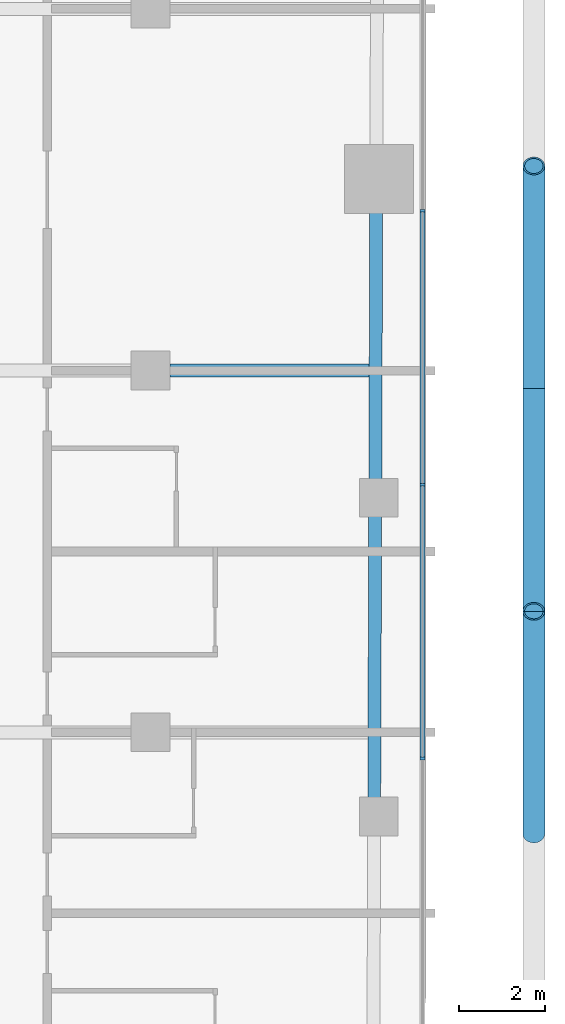
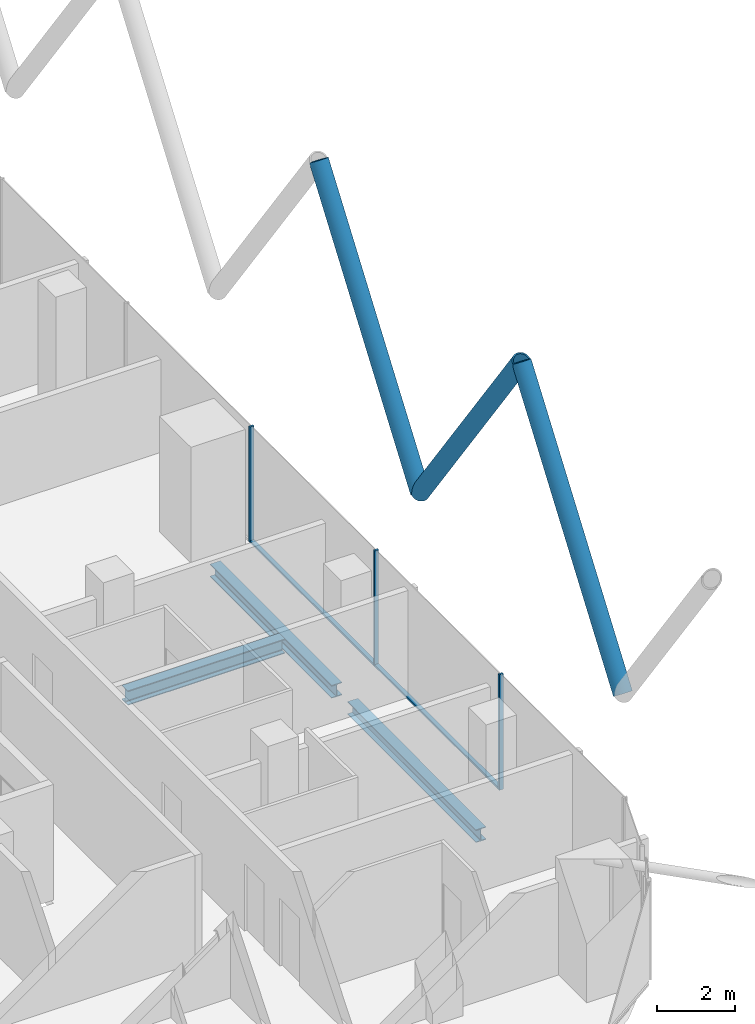
# One storey, part 8 of 33: 8 members, 3 beams, 1 element without a shape of its own.
"""IFC4 building model written with IfcOpenShell, lengths in metres."""

from ifc_helpers import new_model, si_unit, direction, frame, origin, origin_2d, place, context, subcontext, project, spatial, rectangle, hollow_circle, i_section, extrude, material, layer, layer_set, material_profile, profile_set, type_object, element, aggregate, save


model = new_model("IFC4")

# Units and contexts
model_context = context("Model", 3, precision=1e-05, world=origin(), true_north=direction((0.0, 1.0)))
body_context = subcontext(model_context, "Body", "Model", "MODEL_VIEW")
ifc_project = project(units=[si_unit("LENGTHUNIT", "METRE"), si_unit("AREAUNIT", "SQUARE_METRE"), si_unit("VOLUMEUNIT", "CUBIC_METRE"), si_unit("PLANEANGLEUNIT", "RADIAN"), si_unit("MASSUNIT", "GRAM", prefix="KILO")], contexts=[model_context])

# Site, building, storey
site_placement = place(None, origin())
site = spatial("IfcSite", under=ifc_project, at=site_placement, CompositionType="ELEMENT")
building_placement = place(site_placement, origin())
building = spatial("IfcBuilding", under=site, at=building_placement, Name="Marenta Gate Hotel Tower", CompositionType="ELEMENT")
storey_placement = place(building_placement, frame((0.0, 0.0, 108.5)))
storey = spatial("IfcBuildingStorey", under=building, at=storey_placement, Name="L23", CompositionType="ELEMENT", Elevation=108.5)

# Members
ifc_material_1 = material(Name="Steel S355J2W", Category="steel")
ifc_material_profile_1 = material_profile(ifc_material_1, hollow_circle(Radius=0.25390625, WallThickness=0.0400390625, at=origin_2d()), Name="CHS 508x40")
ifc_profile_set_1 = profile_set([ifc_material_profile_1], Name="Steel S355J2W")
member_type_1 = type_object("IfcMemberType", Name="Diagrid diagonal Z2 CHS 508x40", PredefinedType="BRACE", material=ifc_profile_set_1)
member_1_placement = place(storey_placement, frame((29.89990234375, -0.420166015625, 3.139892578125), z_axis=(0.0, 0.583265964901, 0.81228124082), x_axis=(-1.0, 0.0, 0.0)))
element("IfcMember", 1, at=member_1_placement, inside=storey, type_object=member_type_1, Name="L23-DG-6", PredefinedType="BRACE", context=body_context, shape_type="SweptSolid", body=[
    extrude(hollow_circle(Radius=0.25390625, WallThickness=0.0400390625, at=origin_2d()), origin(), (0.0, 0.0, 1.0), 8.8642578125),
])
for number, where, z_axis, x_axis, name in (
    (2, (29.89990234375, -0.420166015625, 3.139892578125), (0.0, -0.583247791947, 0.812294289767), (1.0, 0.0, 0.0), "L23-DG-7"),
    (3, (29.89990234375, -10.760009765625, 3.139892578125), (0.0, 0.583247791947, 0.812294289767), (-1.0, 0.0, 0.0), "L23-DG-8"),
):
    element("IfcMember", number, at=place(storey_placement, frame(where, z_axis=z_axis, x_axis=x_axis)), inside=storey, type_object=member_type_1, Name=name, PredefinedType="BRACE", context=body_context, shape_type="SweptSolid", body=[
        extrude(hollow_circle(Radius=0.25390625, WallThickness=0.0400390625, at=origin_2d()), origin(), (0.0, 0.0, 1.0), 8.864013671875),
    ])

# Beams
ifc_material_2 = material(Name="Steel S355", Category="steel")
ifc_material_profile_2 = material_profile(ifc_material_2, i_section(OverallWidth=0.300048828125, OverallDepth=0.39990234375, WebThickness=0.013427734375, FlangeThickness=0.02392578125, FilletRadius=0.027099609375, at=origin_2d()), Name="HEB 400")
ifc_profile_set_2 = profile_set([ifc_material_profile_2], Name="Steel S355")
beam_type_1 = type_object("IfcBeamType", Name="Edge beam HEB 400", PredefinedType="SPANDREL", material=ifc_profile_set_2)
beam_1_placement = place(storey_placement, frame((26.2392578125, 3.68994140625, -0.4599609375), z_axis=(-0.003330441525, -0.999994454064, 0.0), x_axis=(0.999994454064, -0.003330441525, 0.0)))
element("IfcBeam", 4, at=beam_1_placement, inside=storey, type_object=beam_type_1, Name="L23-EB-25", PredefinedType="SPANDREL", context=body_context, shape_type="SweptSolid", body=[
    extrude(i_section(OverallWidth=0.300048828125, OverallDepth=0.39990234375, WebThickness=0.013427734375, FlangeThickness=0.02392578125, FilletRadius=0.027099609375, at=origin_2d()), origin(), (0.0, 0.0, 1.0), 6.23095703125),
])
beam_2_placement = place(storey_placement, frame((26.2158203125, -3.36083984375, -0.4599609375), z_axis=(-0.00333875569, -0.99999442634, 0.0), x_axis=(0.99999442634, -0.00333875569, 0.0)))
element("IfcBeam", 5, at=beam_2_placement, inside=storey, type_object=beam_type_1, Name="L23-EB-26", PredefinedType="SPANDREL", context=body_context, shape_type="SweptSolid", body=[
    extrude(i_section(OverallWidth=0.300048828125, OverallDepth=0.39990234375, WebThickness=0.013427734375, FlangeThickness=0.02392578125, FilletRadius=0.027099609375, at=origin_2d()), origin(), (0.0, 0.0, 1.0), 6.5810546875),
])
ifc_material_3 = material(Name="Steel S355", Category="steel")
ifc_material_profile_3 = material_profile(ifc_material_3, i_section(OverallWidth=0.300048828125, OverallDepth=0.449951171875, WebThickness=0.013916015625, FlangeThickness=0.02587890625, FilletRadius=0.027099609375, at=origin_2d()), Name="HEB 450")
ifc_profile_set_3 = profile_set([ifc_material_profile_3], Name="Steel S355")
beam_type_2 = type_object("IfcBeamType", Name="Girder HEB 450", PredefinedType="BEAM", material=ifc_profile_set_3)
beam_3_placement = place(storey_placement, frame((21.449951171875, 0.0, -0.485107421875), z_axis=(1.0, 0.0, 0.0), x_axis=(0.0, 1.0, 0.0)))
element("IfcBeam", 6, at=beam_3_placement, inside=storey, type_object=beam_type_2, Name="L23-GD-19", PredefinedType="BEAM", context=body_context, shape_type="SweptSolid", body=[
    extrude(i_section(OverallWidth=0.300048828125, OverallDepth=0.449951171875, WebThickness=0.013916015625, FlangeThickness=0.02587890625, FilletRadius=0.027099609375, at=origin_2d()), origin(), (0.0, 0.0, 1.0), 4.626953125),
])

# Curtain wall, members
ifc_material_4 = material(Name="Tinted insulated glass in bronze anodised frame", Category="glass")
ifc_layer = layer(ifc_material_4, 0.1201171875)
ifc_layer_set = layer_set([ifc_layer], Name="Tinted insulated glass in bronze anodised frame")
curtain_wall_type = type_object("IfcCurtainWallType", Name="Tower unitised curtain wall CW1", PredefinedType="NOTDEFINED", material=ifc_layer_set)
curtain_wall_placement = place(storey_placement, origin())
curtain_wall = element("IfcCurtainWall", 7, at=curtain_wall_placement, inside=storey, type_object=curtain_wall_type, Name="CW1 run G19", PredefinedType="NOTDEFINED")
ifc_material_5 = material(Name="Bronze anodised aluminium", Category="aluminium")
ifc_material_profile_4 = material_profile(ifc_material_5, rectangle(XDim=0.1201171875, YDim=0.06005859375, at=origin_2d()), Name="Mullion CW1 60x120 bronze anodised aluminium")
ifc_profile_set_4 = profile_set([ifc_material_profile_4], Name="Bronze anodised aluminium")
member_type_2 = type_object("IfcMemberType", Name="Mullion CW1 60x120 bronze anodised aluminium", PredefinedType="MULLION", material=ifc_profile_set_4)
member_2_placement = place(storey_placement, frame((27.31396484375, -9.008056640625, 0.0), z_axis=(0.0, 0.0, 1.0), x_axis=(-1.0, 0.0, 0.0)))
member_2 = element("IfcMember", 8, at=member_2_placement, type_object=member_type_2, Name="CW1 mullion 2", PredefinedType="MULLION", context=body_context, shape_type="SweptSolid", body=[
    extrude(rectangle(XDim=0.1201171875, YDim=0.06005859375, at=origin_2d()), origin(), (0.0, 0.0, 1.0), 3.60009765625),
])
member_3_placement = place(storey_placement, frame((27.31396484375, -2.64794921875, 0.0), z_axis=(0.0, 0.0, 1.0), x_axis=(-1.0, 0.0, 0.0)))
member_3 = element("IfcMember", 9, at=member_3_placement, type_object=member_type_2, Name="CW1 mullion 3", PredefinedType="MULLION", context=body_context, shape_type="SweptSolid", body=[
    extrude(rectangle(XDim=0.1201171875, YDim=0.06005859375, at=origin_2d()), origin(), (0.0, 0.0, 1.0), 3.60009765625),
])
member_4_placement = place(storey_placement, frame((27.31396484375, 3.7119140625, 0.0), z_axis=(0.0, 0.0, 1.0), x_axis=(-1.0, 0.0, 0.0)))
member_4 = element("IfcMember", 10, at=member_4_placement, type_object=member_type_2, Name="CW1 mullion 4", PredefinedType="MULLION", context=body_context, shape_type="SweptSolid", body=[
    extrude(rectangle(XDim=0.1201171875, YDim=0.06005859375, at=origin_2d()), origin(), (0.0, 0.0, 1.0), 3.60009765625),
])
ifc_material_6 = material(Name="Bronze anodised aluminium", Category="aluminium")
ifc_material_profile_5 = material_profile(ifc_material_6, rectangle(XDim=0.1201171875, YDim=0.06005859375, at=origin_2d()), Name="Transom CW1 60x120 bronze anodised aluminium")
ifc_profile_set_5 = profile_set([ifc_material_profile_5], Name="Bronze anodised aluminium")
member_type_3 = type_object("IfcMemberType", Name="Transom CW1 60x120 bronze anodised aluminium", PredefinedType="USERDEFINED", material=ifc_profile_set_5)
member_5_placement = place(storey_placement, frame((27.31396484375, -8.97802734375, 0.030029296875), z_axis=(0.0, 1.0, 0.0), x_axis=(-1.0, 0.0, 0.0)))
member_5 = element("IfcMember", 11, at=member_5_placement, type_object=member_type_3, Name="CW1 transom 2.1", ObjectType="TRANSOM", PredefinedType="USERDEFINED", context=body_context, shape_type="SweptSolid", body=[
    extrude(rectangle(XDim=0.1201171875, YDim=0.06005859375, at=origin_2d()), origin(), (0.0, 0.0, 1.0), 6.300048828125),
])
member_6_placement = place(storey_placement, frame((27.31396484375, -2.617919921875, 0.030029296875), z_axis=(0.0, 1.0, 0.0), x_axis=(-1.0, 0.0, 0.0)))
member_6 = element("IfcMember", 12, at=member_6_placement, type_object=member_type_3, Name="CW1 transom 3.1", ObjectType="TRANSOM", PredefinedType="USERDEFINED", context=body_context, shape_type="SweptSolid", body=[
    extrude(rectangle(XDim=0.1201171875, YDim=0.06005859375, at=origin_2d()), origin(), (0.0, 0.0, 1.0), 6.2998046875),
])
aggregate(curtain_wall, [member_2, member_3, member_4, member_5, member_6])

save(model, "model.ifc")
